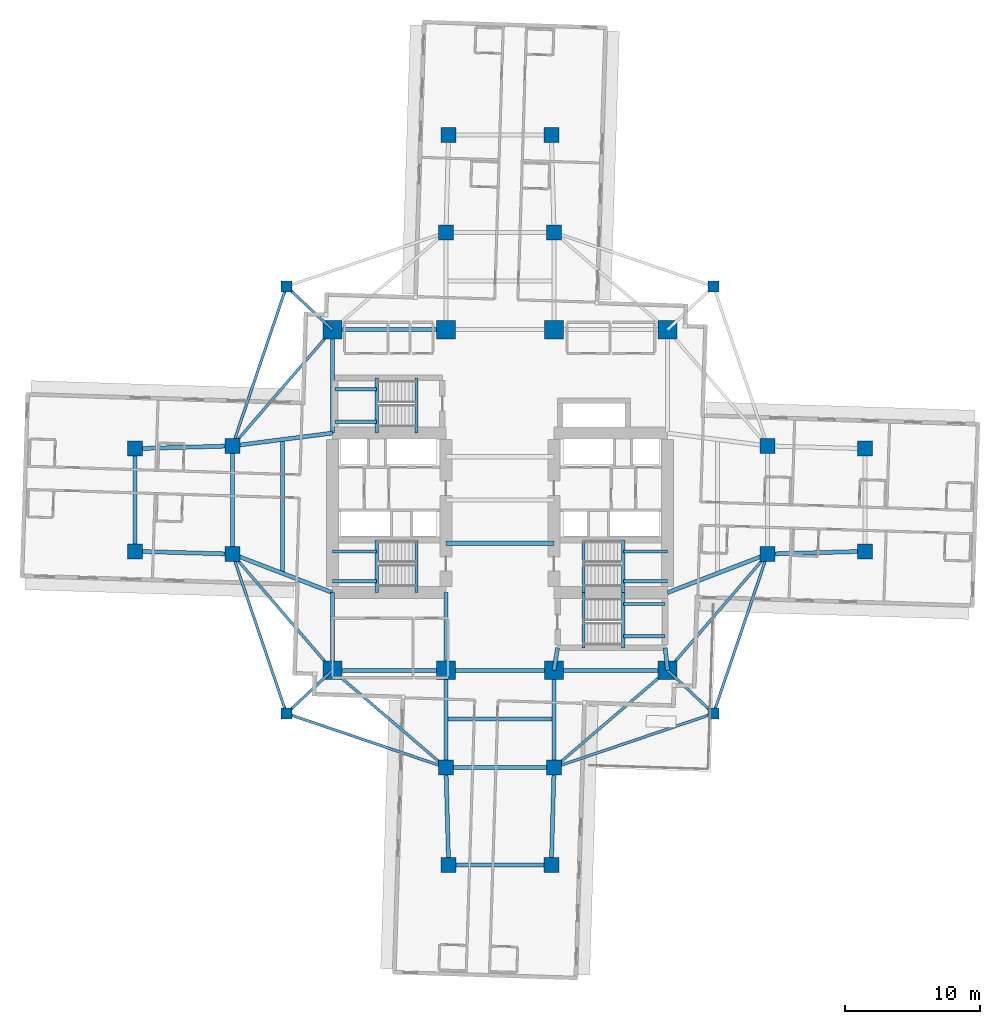
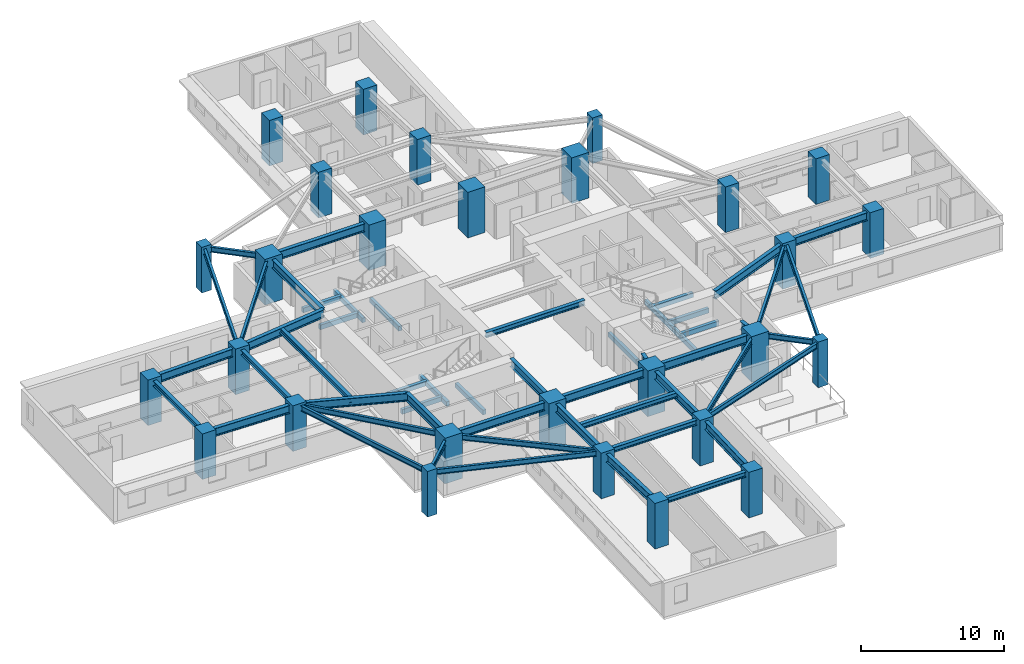
# One storey, part 1 of 13: 55 beams, 28 columns.
"""IFC4 building model written with IfcOpenShell, lengths in metres."""

from ifc_helpers import new_model, si_unit, direction, frame, origin, origin_2d, place, context, subcontext, project, spatial, rectangle, i_section, extrude, material, material_profile, profile_set, type_object, element, save


model = new_model("IFC4")

# Units and contexts
model_context = context("Model", 3, precision=1e-05, world=origin(), true_north=direction((0.0, 1.0)))
body_context = subcontext(model_context, "Body", "Model", "MODEL_VIEW")
ifc_project = project(units=[si_unit("LENGTHUNIT", "METRE"), si_unit("AREAUNIT", "SQUARE_METRE"), si_unit("VOLUMEUNIT", "CUBIC_METRE"), si_unit("PLANEANGLEUNIT", "RADIAN"), si_unit("MASSUNIT", "GRAM", prefix="KILO")], contexts=[model_context])

# Site, building, storey
site_placement = place(None, origin())
site = spatial("IfcSite", under=ifc_project, at=site_placement, CompositionType="ELEMENT")
building_placement = place(site_placement, origin())
building = spatial("IfcBuilding", under=site, at=building_placement, Name="Qingluan Cross Belvedere", CompositionType="ELEMENT")
storey_placement = place(building_placement, frame((0.0, 0.0, 71.699951171875)))
storey = spatial("IfcBuildingStorey", under=building, at=storey_placement, Name="L18", CompositionType="ELEMENT", Elevation=71.699951171875)

# Columns
ifc_material_1 = material(Name="Concrete C60", Category="concrete")
ifc_material_profile_1 = material_profile(ifc_material_1, rectangle(XDim=1.10009765625, YDim=1.10009765625, at=origin_2d()), Name="RC1100x1100")
ifc_profile_set_1 = profile_set([ifc_material_profile_1], Name="Concrete C60")
column_type_1 = type_object("IfcColumnType", Name="Column_RC1100x1100", PredefinedType="COLUMN", material=ifc_profile_set_1)
for number, where, z_axis, x_axis, name in (
    (1, (19.800048828125, -4.0, 0.0), (0.0, 0.0, 1.0), (1.0, 0.0, 0.0), "Arm column L18-EIA"),
    (2, (19.800048828125, 4.0, 0.0), (0.0, 0.0, 1.0), (1.0, 0.0, 0.0), "Arm column L18-EIB"),
    (3, (-19.800048828125, -4.0, 0.0), (0.0, 0.0, 1.0), (1.0, 0.0, 0.0), "Arm column L18-WIA"),
    (4, (-19.800048828125, 4.0, 0.0), (0.0, 0.0, 1.0), (1.0, 0.0, 0.0), "Arm column L18-WIB"),
    (5, (-4.0, -19.800048828125, 0.0), (0.0, 0.0, 1.0), (1.0, 0.0, 0.0), "Arm column L18-SIA"),
    (6, (4.0, -19.800048828125, 0.0), (0.0, 0.0, 1.0), (1.0, 0.0, 0.0), "Arm column L18-SIB"),
    (7, (-4.0, 19.800048828125, 0.0), (0.0, 0.0, 1.0), (1.0, 0.0, 0.0), "Arm column L18-NIA"),
    (8, (4.0, 19.800048828125, 0.0), (0.0, 0.0, 1.0), (1.0, 0.0, 0.0), "Arm column L18-NIB"),
    (9, (27.0, -3.800048828125, 0.0), (0.0, 0.0, 1.0), (1.0, 0.0, 0.0), "Arm column L18-EOA"),
    (10, (27.0, 3.800048828125, 0.0), (0.0, 0.0, 1.0), (1.0, 0.0, 0.0), "Arm column L18-EOB"),
    (11, (-27.0, -3.800048828125, 0.0), (0.0, 0.0, 1.0), (1.0, 0.0, 0.0), "Arm column L18-WOA"),
    (12, (-27.0, 3.800048828125, 0.0), (0.0, 0.0, 1.0), (1.0, 0.0, 0.0), "Arm column L18-WOB"),
    (13, (-3.800048828125, -27.0, 0.0), (0.0, 0.0, 1.0), (1.0, 0.0, 0.0), "Arm column L18-SOA"),
    (14, (3.800048828125, -27.0, 0.0), (0.0, 0.0, 1.0), (1.0, 0.0, 0.0), "Arm column L18-SOB"),
    (15, (-3.800048828125, 27.0, 0.0), (0.0, 0.0, 1.0), (1.0, 0.0, 0.0), "Arm column L18-NOA"),
    (16, (3.800048828125, 27.0, 0.0), (0.0, 0.0, 1.0), (1.0, 0.0, 0.0), "Arm column L18-NOB"),
):
    element("IfcColumn", number, at=place(storey_placement, frame(where, z_axis=z_axis, x_axis=x_axis)), inside=storey, type_object=column_type_1, Name=name, PredefinedType="COLUMN", context=body_context, shape_type="SweptSolid", body=[
        extrude(rectangle(XDim=1.10009765625, YDim=1.10009765625, at=origin_2d()), origin(), (0.0, 0.0, 1.0), 3.900146484375),
    ])
ifc_material_2 = material(Name="Concrete C70", Category="concrete")
ifc_material_profile_2 = material_profile(ifc_material_2, rectangle(XDim=1.39990234375, YDim=1.39990234375, at=origin_2d()), Name="RC1400x1400")
ifc_profile_set_2 = profile_set([ifc_material_profile_2], Name="Concrete C70")
column_type_2 = type_object("IfcColumnType", Name="Column_RC1400x1400", PredefinedType="COLUMN", material=ifc_profile_set_2)
for number, where, z_axis, x_axis, name in (
    (17, (-12.39990234375, -12.60009765625, 0.0), (0.0, 0.0, 1.0), (1.0, 0.0, 0.0), "Hub column L18-HC1"),
    (18, (12.39990234375, -12.60009765625, 0.0), (0.0, 0.0, 1.0), (1.0, 0.0, 0.0), "Hub column L18-HC2"),
    (19, (12.39990234375, 12.60009765625, 0.0), (0.0, 0.0, 1.0), (1.0, 0.0, 0.0), "Hub column L18-HC3"),
    (20, (-12.39990234375, 12.60009765625, 0.0), (0.0, 0.0, 1.0), (1.0, 0.0, 0.0), "Hub column L18-HC4"),
    (21, (-4.0, -12.60009765625, 0.0), (0.0, 0.0, 1.0), (1.0, 0.0, 0.0), "Hub column L18-HC5"),
    (22, (4.0, -12.60009765625, 0.0), (0.0, 0.0, 1.0), (1.0, 0.0, 0.0), "Hub column L18-HC6"),
    (23, (4.0, 12.60009765625, 0.0), (0.0, 0.0, 1.0), (1.0, 0.0, 0.0), "Hub column L18-HC7"),
    (24, (-4.0, 12.60009765625, 0.0), (0.0, 0.0, 1.0), (1.0, 0.0, 0.0), "Hub column L18-HC8"),
):
    element("IfcColumn", number, at=place(storey_placement, frame(where, z_axis=z_axis, x_axis=x_axis)), inside=storey, type_object=column_type_2, Name=name, PredefinedType="COLUMN", context=body_context, shape_type="SweptSolid", body=[
        extrude(rectangle(XDim=1.39990234375, YDim=1.39990234375, at=origin_2d()), origin(), (0.0, 0.0, 1.0), 3.900146484375),
    ])
ifc_material_3 = material(Name="Concrete C50", Category="concrete")
ifc_material_profile_3 = material_profile(ifc_material_3, rectangle(XDim=0.800048828125, YDim=0.800048828125, at=origin_2d()), Name="RC800x800")
ifc_profile_set_3 = profile_set([ifc_material_profile_3], Name="Concrete C50")
column_type_3 = type_object("IfcColumnType", Name="Column_RC800x800", PredefinedType="COLUMN", material=ifc_profile_set_3)
for number, where, z_axis, x_axis, name in (
    (25, (15.800048828125, 15.800048828125, 0.0), (0.0, 0.0, 1.0), (1.0, 0.0, 0.0), "Corner column L18-RNE"),
    (26, (-15.800048828125, 15.800048828125, 0.0), (0.0, 0.0, 1.0), (1.0, 0.0, 0.0), "Corner column L18-RNW"),
    (27, (-15.800048828125, -15.800048828125, 0.0), (0.0, 0.0, 1.0), (1.0, 0.0, 0.0), "Corner column L18-RSW"),
    (28, (15.800048828125, -15.800048828125, 0.0), (0.0, 0.0, 1.0), (1.0, 0.0, 0.0), "Corner column L18-RSE"),
):
    element("IfcColumn", number, at=place(storey_placement, frame(where, z_axis=z_axis, x_axis=x_axis)), inside=storey, type_object=column_type_3, Name=name, PredefinedType="COLUMN", context=body_context, shape_type="SweptSolid", body=[
        extrude(rectangle(XDim=0.800048828125, YDim=0.800048828125, at=origin_2d()), origin(), (0.0, 0.0, 1.0), 3.900146484375),
    ])

# Beams
ifc_material_4 = material(Name="Concrete C45", Category="concrete")
ifc_material_profile_4 = material_profile(ifc_material_4, rectangle(XDim=0.25, YDim=0.39990234375, at=origin_2d()), Name="RC250x400")
ifc_profile_set_4 = profile_set([ifc_material_profile_4], Name="Concrete C45")
beam_type_1 = type_object("IfcBeamType", Name="RC_Lintel_RC250x400", PredefinedType="LINTEL", material=ifc_profile_set_4)
for number, where, z_axis, x_axis, name in (
    (29, (-6.179931640625, -6.85009765625, -0.199951171875), (0.0, 1.0, 0.0), (-1.0, 0.0, 0.0), "Stair ST1 landing beam L18"),
    (30, (6.179931640625, -6.85009765625, -0.199951171875), (0.0, 1.0, 0.0), (-1.0, 0.0, 0.0), "Stair ST2 landing beam L18"),
):
    element("IfcBeam", number, at=place(storey_placement, frame(where, z_axis=z_axis, x_axis=x_axis)), inside=storey, type_object=beam_type_1, Name=name, PredefinedType="LINTEL", context=body_context, shape_type="SweptSolid", body=[
        extrude(rectangle(XDim=0.25, YDim=0.39990234375, at=origin_2d()), origin(), (0.0, 0.0, 1.0), 3.89013671875),
    ])
beam_1_placement = place(storey_placement, frame((-6.179931640625, 4.949951171875, -0.199951171875), z_axis=(0.0, 1.0, 0.0), x_axis=(-1.0, 0.0, 0.0)))
element("IfcBeam", 31, at=beam_1_placement, inside=storey, type_object=beam_type_1, Name="Stair ST3 landing beam L18", PredefinedType="LINTEL", context=body_context, shape_type="SweptSolid", body=[
    extrude(rectangle(XDim=0.25, YDim=0.39990234375, at=origin_2d()), origin(), (0.0, 0.0, 1.0), 4.090087890625),
])
beam_2_placement = place(storey_placement, frame((6.179931640625, -10.93994140625, -0.199951171875), z_axis=(0.0, 1.0, 0.0), x_axis=(-1.0, 0.0, 0.0)))
element("IfcBeam", 32, at=beam_2_placement, inside=storey, type_object=beam_type_1, Name="Stair ST4 landing beam L18", PredefinedType="LINTEL", context=body_context, shape_type="SweptSolid", body=[
    extrude(rectangle(XDim=0.25, YDim=0.39990234375, at=origin_2d()), origin(), (0.0, 0.0, 1.0), 4.08984375),
])
beam_3_placement = place(storey_placement, frame((-9.1298828125, -6.85009765625, 1.550048828125), z_axis=(0.0, 1.0, 0.0), x_axis=(-1.0, 0.0, 0.0)))
element("IfcBeam", 33, at=beam_3_placement, inside=storey, type_object=beam_type_1, Name="Stair ST1 beam A L18", PredefinedType="LINTEL", context=body_context, shape_type="SweptSolid", body=[
    extrude(rectangle(XDim=0.25, YDim=0.39990234375, at=origin_2d()), origin(), (0.0, 0.0, 1.0), 3.89013671875),
])
for number, where, z_axis, x_axis, name in (
    (34, (-12.39990234375, -6.0, 1.550048828125), (1.0, 0.0, 0.0), (0.0, 1.0, 0.0), "Stair ST1 beam B L18"),
    (35, (-12.39990234375, -3.81005859375, 1.550048828125), (1.0, 0.0, 0.0), (0.0, 1.0, 0.0), "Stair ST1 beam C L18"),
):
    element("IfcBeam", number, at=place(storey_placement, frame(where, z_axis=z_axis, x_axis=x_axis)), inside=storey, type_object=beam_type_1, Name=name, PredefinedType="LINTEL", context=body_context, shape_type="SweptSolid", body=[
        extrude(rectangle(XDim=0.25, YDim=0.39990234375, at=origin_2d()), origin(), (0.0, 0.0, 1.0), 3.27001953125),
    ])
beam_4_placement = place(storey_placement, frame((9.1298828125, -6.85009765625, 1.550048828125), z_axis=(0.0, 1.0, 0.0), x_axis=(-1.0, 0.0, 0.0)))
element("IfcBeam", 36, at=beam_4_placement, inside=storey, type_object=beam_type_1, Name="Stair ST2 beam A L18", PredefinedType="LINTEL", context=body_context, shape_type="SweptSolid", body=[
    extrude(rectangle(XDim=0.25, YDim=0.39990234375, at=origin_2d()), origin(), (0.0, 0.0, 1.0), 3.89013671875),
])
for number, where, z_axis, x_axis, name in (
    (37, (12.39990234375, -6.0, 1.550048828125), (-1.0, 0.0, 0.0), (0.0, -1.0, 0.0), "Stair ST2 beam B L18"),
    (38, (12.39990234375, -3.81005859375, 1.550048828125), (-1.0, 0.0, 0.0), (0.0, -1.0, 0.0), "Stair ST2 beam C L18"),
):
    element("IfcBeam", number, at=place(storey_placement, frame(where, z_axis=z_axis, x_axis=x_axis)), inside=storey, type_object=beam_type_1, Name=name, PredefinedType="LINTEL", context=body_context, shape_type="SweptSolid", body=[
        extrude(rectangle(XDim=0.25, YDim=0.39990234375, at=origin_2d()), origin(), (0.0, 0.0, 1.0), 3.27001953125),
    ])
beam_5_placement = place(storey_placement, frame((-9.1298828125, 4.949951171875, 1.550048828125), z_axis=(0.0, 1.0, 0.0), x_axis=(-1.0, 0.0, 0.0)))
element("IfcBeam", 39, at=beam_5_placement, inside=storey, type_object=beam_type_1, Name="Stair ST3 beam A L18", PredefinedType="LINTEL", context=body_context, shape_type="SweptSolid", body=[
    extrude(rectangle(XDim=0.25, YDim=0.39990234375, at=origin_2d()), origin(), (0.0, 0.0, 1.0), 4.090087890625),
])
for number, where, z_axis, x_axis, name in (
    (40, (-12.219970703125, 5.800048828125, 1.550048828125), (1.0, 0.0, 0.0), (0.0, 1.0, 0.0), "Stair ST3 beam B L18"),
    (41, (-12.219970703125, 8.18994140625, 1.550048828125), (1.0, 0.0, 0.0), (0.0, 1.0, 0.0), "Stair ST3 beam C L18"),
):
    element("IfcBeam", number, at=place(storey_placement, frame(where, z_axis=z_axis, x_axis=x_axis)), inside=storey, type_object=beam_type_1, Name=name, PredefinedType="LINTEL", context=body_context, shape_type="SweptSolid", body=[
        extrude(rectangle(XDim=0.25, YDim=0.39990234375, at=origin_2d()), origin(), (0.0, 0.0, 1.0), 3.090087890625),
    ])
beam_6_placement = place(storey_placement, frame((9.1298828125, -10.93994140625, 1.550048828125), z_axis=(0.0, 1.0, 0.0), x_axis=(-1.0, 0.0, 0.0)))
element("IfcBeam", 42, at=beam_6_placement, inside=storey, type_object=beam_type_1, Name="Stair ST4 beam A L18", PredefinedType="LINTEL", context=body_context, shape_type="SweptSolid", body=[
    extrude(rectangle(XDim=0.25, YDim=0.39990234375, at=origin_2d()), origin(), (0.0, 0.0, 1.0), 4.08984375),
])
for number, where, z_axis, x_axis, name in (
    (43, (12.219970703125, -10.090087890625, 1.550048828125), (-1.0, 0.0, 0.0), (0.0, -1.0, 0.0), "Stair ST4 beam B L18"),
    (44, (12.219970703125, -7.699951171875, 1.550048828125), (-1.0, 0.0, 0.0), (0.0, -1.0, 0.0), "Stair ST4 beam C L18"),
):
    element("IfcBeam", number, at=place(storey_placement, frame(where, z_axis=z_axis, x_axis=x_axis)), inside=storey, type_object=beam_type_1, Name=name, PredefinedType="LINTEL", context=body_context, shape_type="SweptSolid", body=[
        extrude(rectangle(XDim=0.25, YDim=0.39990234375, at=origin_2d()), origin(), (0.0, 0.0, 1.0), 3.090087890625),
    ])
ifc_material_5 = material(Name="Steel Q420GJB", Category="steel")
ifc_material_profile_5 = material_profile(ifc_material_5, i_section(OverallWidth=0.300048828125, OverallDepth=0.43994140625, WebThickness=0.010986328125, FlangeThickness=0.01806640625, FilletRadius=0.02001953125, at=origin_2d()), Name="HM440x300x11x18")
ifc_profile_set_5 = profile_set([ifc_material_profile_5], Name="Steel Q420GJB")
beam_type_2 = type_object("IfcBeamType", Name="Steel_Beam_HM440x300x11x18", PredefinedType="BEAM", material=ifc_profile_set_5)
for number, where, z_axis, x_axis, name in (
    (45, (-4.0, -3.199951171875, 3.47998046875), (1.0, 0.0, 0.0), (0.0, 1.0, 0.0), "Hall beam L18-CH1"),
    (46, (-19.800048828125, -4.0, 3.47998046875), (0.0, 1.0, 0.0), (-1.0, 0.0, 0.0), "Arm W tie L18"),
):
    element("IfcBeam", number, at=place(storey_placement, frame(where, z_axis=z_axis, x_axis=x_axis)), inside=storey, type_object=beam_type_2, Name=name, PredefinedType="BEAM", context=body_context, shape_type="SweptSolid", body=[
        extrude(i_section(OverallWidth=0.300048828125, OverallDepth=0.43994140625, WebThickness=0.010986328125, FlangeThickness=0.01806640625, FilletRadius=0.02001953125, at=origin_2d()), origin(), (0.0, 0.0, 1.0), 8.0),
    ])
beam_7_placement = place(storey_placement, frame((-16.10009765625, -5.425048828125, 3.47998046875), z_axis=(0.0, 1.0, 0.0), x_axis=(-1.0, 0.0, 0.0)))
element("IfcBeam", 47, at=beam_7_placement, inside=storey, type_object=beam_type_2, Name="Arm W beam L18", PredefinedType="BEAM", context=body_context, shape_type="SweptSolid", body=[
    extrude(i_section(OverallWidth=0.300048828125, OverallDepth=0.43994140625, WebThickness=0.010986328125, FlangeThickness=0.01806640625, FilletRadius=0.02001953125, at=origin_2d()), origin(), (0.0, 0.0, 1.0), 9.900146484375),
])
beam_8_placement = place(storey_placement, frame((-27.0, -3.800048828125, 3.47998046875), z_axis=(0.0, 1.0, 0.0), x_axis=(-1.0, 0.0, 0.0)))
element("IfcBeam", 48, at=beam_8_placement, inside=storey, type_object=beam_type_2, Name="Arm W tip transverse beam L18", PredefinedType="BEAM", context=body_context, shape_type="SweptSolid", body=[
    extrude(i_section(OverallWidth=0.300048828125, OverallDepth=0.43994140625, WebThickness=0.010986328125, FlangeThickness=0.01806640625, FilletRadius=0.02001953125, at=origin_2d()), origin(), (0.0, 0.0, 1.0), 7.60009765625),
])
for number, where, z_axis, x_axis, name in (
    (49, (-4.0, -19.800048828125, 3.47998046875), (1.0, 0.0, 0.0), (0.0, 1.0, 0.0), "Arm S tie L18"),
    (50, (-4.0, -16.199951171875, 3.47998046875), (1.0, 0.0, 0.0), (0.0, 1.0, 0.0), "Arm S beam L18"),
):
    element("IfcBeam", number, at=place(storey_placement, frame(where, z_axis=z_axis, x_axis=x_axis)), inside=storey, type_object=beam_type_2, Name=name, PredefinedType="BEAM", context=body_context, shape_type="SweptSolid", body=[
        extrude(i_section(OverallWidth=0.300048828125, OverallDepth=0.43994140625, WebThickness=0.010986328125, FlangeThickness=0.01806640625, FilletRadius=0.02001953125, at=origin_2d()), origin(), (0.0, 0.0, 1.0), 8.0),
    ])
beam_9_placement = place(storey_placement, frame((-3.800048828125, -27.0, 3.47998046875), z_axis=(1.0, 0.0, 0.0), x_axis=(0.0, 1.0, 0.0)))
element("IfcBeam", 51, at=beam_9_placement, inside=storey, type_object=beam_type_2, Name="Arm S tip transverse beam L18", PredefinedType="BEAM", context=body_context, shape_type="SweptSolid", body=[
    extrude(i_section(OverallWidth=0.300048828125, OverallDepth=0.43994140625, WebThickness=0.010986328125, FlangeThickness=0.01806640625, FilletRadius=0.02001953125, at=origin_2d()), origin(), (0.0, 0.0, 1.0), 7.60009765625),
])
ifc_material_6 = material(Name="Steel Q420GJB", Category="steel")
ifc_material_profile_6 = material_profile(ifc_material_6, i_section(OverallWidth=0.199951171875, OverallDepth=0.449951171875, WebThickness=0.009033203125, FlangeThickness=0.013916015625, FilletRadius=0.01611328125, at=origin_2d()), Name="HN450x200x9x14")
ifc_profile_set_6 = profile_set([ifc_material_profile_6], Name="Steel Q420GJB")
beam_type_3 = type_object("IfcBeamType", Name="Steel_Beam_HN450x200x9x14", PredefinedType="JOIST", material=ifc_profile_set_6)
beam_10_placement = place(storey_placement, frame((-12.39990234375, 12.60009765625, 3.47509765625), z_axis=(-0.728219948308, 0.685343495546, 0.0), x_axis=(-0.685343495546, -0.728219948308, 0.0)))
element("IfcBeam", 52, at=beam_10_placement, inside=storey, type_object=beam_type_3, Name="Corner beam 1 L18-RNW", PredefinedType="JOIST", context=body_context, shape_type="SweptSolid", body=[
    extrude(i_section(OverallWidth=0.199951171875, OverallDepth=0.449951171875, WebThickness=0.009033203125, FlangeThickness=0.013916015625, FilletRadius=0.01611328125, at=origin_2d()), origin(), (0.0, 0.0, 1.0), 4.669189453125),
])
beam_11_placement = place(storey_placement, frame((-15.800048828125, 15.800048828125, 3.47509765625), z_axis=(-0.321038089628, -0.947066283324, 0.0), x_axis=(0.947066283324, -0.321038089628, 0.0)))
element("IfcBeam", 53, at=beam_11_placement, inside=storey, type_object=beam_type_3, Name="Corner beam 3 L18-RNW", PredefinedType="JOIST", context=body_context, shape_type="SweptSolid", body=[
    extrude(i_section(OverallWidth=0.199951171875, OverallDepth=0.449951171875, WebThickness=0.009033203125, FlangeThickness=0.013916015625, FilletRadius=0.01611328125, at=origin_2d()), origin(), (0.0, 0.0, 1.0), 12.45947265625),
])
beam_12_placement = place(storey_placement, frame((-12.39990234375, 12.60009765625, 3.47509765625), z_axis=(-0.652245077546, -0.75800815221, 0.0), x_axis=(0.75800815221, -0.652245077546, 0.0)))
element("IfcBeam", 54, at=beam_12_placement, inside=storey, type_object=beam_type_3, Name="Corner beam 4 L18-RNW", PredefinedType="JOIST", context=body_context, shape_type="SweptSolid", body=[
    extrude(i_section(OverallWidth=0.199951171875, OverallDepth=0.449951171875, WebThickness=0.009033203125, FlangeThickness=0.013916015625, FilletRadius=0.01611328125, at=origin_2d()), origin(), (0.0, 0.0, 1.0), 11.345703125),
])
beam_13_placement = place(storey_placement, frame((-12.39990234375, -12.60009765625, 3.47509765625), z_axis=(-0.728219948308, -0.685343495546, 0.0), x_axis=(0.685343495546, -0.728219948308, 0.0)))
element("IfcBeam", 55, at=beam_13_placement, inside=storey, type_object=beam_type_3, Name="Corner beam 1 L18-RSW", PredefinedType="JOIST", context=body_context, shape_type="SweptSolid", body=[
    extrude(i_section(OverallWidth=0.199951171875, OverallDepth=0.449951171875, WebThickness=0.009033203125, FlangeThickness=0.013916015625, FilletRadius=0.01611328125, at=origin_2d()), origin(), (0.0, 0.0, 1.0), 4.669189453125),
])
for number, where, z_axis, x_axis, name in (
    (56, (-15.800048828125, -15.800048828125, 3.47509765625), (0.947066283324, -0.321038089628, 0.0), (0.321038089628, 0.947066283324, 0.0), "Corner beam 2 L18-RSW"),
    (57, (-15.800048828125, -15.800048828125, 3.47509765625), (-0.321038089628, 0.947066283324, 0.0), (-0.947066283324, -0.321038089628, 0.0), "Corner beam 3 L18-RSW"),
):
    element("IfcBeam", number, at=place(storey_placement, frame(where, z_axis=z_axis, x_axis=x_axis)), inside=storey, type_object=beam_type_3, Name=name, PredefinedType="JOIST", context=body_context, shape_type="SweptSolid", body=[
        extrude(i_section(OverallWidth=0.199951171875, OverallDepth=0.449951171875, WebThickness=0.009033203125, FlangeThickness=0.013916015625, FilletRadius=0.01611328125, at=origin_2d()), origin(), (0.0, 0.0, 1.0), 12.45947265625),
    ])
beam_14_placement = place(storey_placement, frame((-12.39990234375, -12.60009765625, 3.47509765625), z_axis=(-0.652245077546, 0.75800815221, 0.0), x_axis=(-0.75800815221, -0.652245077546, 0.0)))
element("IfcBeam", 58, at=beam_14_placement, inside=storey, type_object=beam_type_3, Name="Corner beam 4 L18-RSW", PredefinedType="JOIST", context=body_context, shape_type="SweptSolid", body=[
    extrude(i_section(OverallWidth=0.199951171875, OverallDepth=0.449951171875, WebThickness=0.009033203125, FlangeThickness=0.013916015625, FilletRadius=0.01611328125, at=origin_2d()), origin(), (0.0, 0.0, 1.0), 11.345703125),
])
beam_15_placement = place(storey_placement, frame((-12.39990234375, -12.60009765625, 3.47509765625), z_axis=(0.759255044656, -0.650793190779, 0.0), x_axis=(0.650793190779, 0.759255044656, 0.0)))
element("IfcBeam", 59, at=beam_15_placement, inside=storey, type_object=beam_type_3, Name="Corner beam 5 L18-RSW", PredefinedType="JOIST", context=body_context, shape_type="SweptSolid", body=[
    extrude(i_section(OverallWidth=0.199951171875, OverallDepth=0.449951171875, WebThickness=0.009033203125, FlangeThickness=0.013916015625, FilletRadius=0.01611328125, at=origin_2d()), origin(), (0.0, 0.0, 1.0), 11.063232421875),
])
beam_16_placement = place(storey_placement, frame((12.39990234375, -12.60009765625, 3.47509765625), z_axis=(0.728219948308, -0.685343495546, 0.0), x_axis=(0.685343495546, 0.728219948308, 0.0)))
element("IfcBeam", 60, at=beam_16_placement, inside=storey, type_object=beam_type_3, Name="Corner beam 1 L18-RSE", PredefinedType="JOIST", context=body_context, shape_type="SweptSolid", body=[
    extrude(i_section(OverallWidth=0.199951171875, OverallDepth=0.449951171875, WebThickness=0.009033203125, FlangeThickness=0.013916015625, FilletRadius=0.01611328125, at=origin_2d()), origin(), (0.0, 0.0, 1.0), 4.669189453125),
])
for number, where, z_axis, x_axis, name in (
    (61, (15.800048828125, -15.800048828125, 3.47509765625), (-0.947066283324, -0.321038089628, 0.0), (0.321038089628, -0.947066283324, 0.0), "Corner beam 2 L18-RSE"),
    (62, (15.800048828125, -15.800048828125, 3.47509765625), (0.321038089628, 0.947066283324, 0.0), (-0.947066283324, 0.321038089628, 0.0), "Corner beam 3 L18-RSE"),
):
    element("IfcBeam", number, at=place(storey_placement, frame(where, z_axis=z_axis, x_axis=x_axis)), inside=storey, type_object=beam_type_3, Name=name, PredefinedType="JOIST", context=body_context, shape_type="SweptSolid", body=[
        extrude(i_section(OverallWidth=0.199951171875, OverallDepth=0.449951171875, WebThickness=0.009033203125, FlangeThickness=0.013916015625, FilletRadius=0.01611328125, at=origin_2d()), origin(), (0.0, 0.0, 1.0), 12.45947265625),
    ])
beam_17_placement = place(storey_placement, frame((12.39990234375, -12.60009765625, 3.47509765625), z_axis=(0.652245077546, 0.75800815221, 0.0), x_axis=(-0.75800815221, 0.652245077546, 0.0)))
element("IfcBeam", 63, at=beam_17_placement, inside=storey, type_object=beam_type_3, Name="Corner beam 4 L18-RSE", PredefinedType="JOIST", context=body_context, shape_type="SweptSolid", body=[
    extrude(i_section(OverallWidth=0.199951171875, OverallDepth=0.449951171875, WebThickness=0.009033203125, FlangeThickness=0.013916015625, FilletRadius=0.01611328125, at=origin_2d()), origin(), (0.0, 0.0, 1.0), 11.345703125),
])
beam_18_placement = place(storey_placement, frame((12.39990234375, -12.60009765625, 3.47509765625), z_axis=(-0.759255044656, -0.650793190779, 0.0), x_axis=(0.650793190779, -0.759255044656, 0.0)))
element("IfcBeam", 64, at=beam_18_placement, inside=storey, type_object=beam_type_3, Name="Corner beam 5 L18-RSE", PredefinedType="JOIST", context=body_context, shape_type="SweptSolid", body=[
    extrude(i_section(OverallWidth=0.199951171875, OverallDepth=0.449951171875, WebThickness=0.009033203125, FlangeThickness=0.013916015625, FilletRadius=0.01611328125, at=origin_2d()), origin(), (0.0, 0.0, 1.0), 11.063232421875),
])
ifc_material_7 = material(Name="Steel Q420GJB", Category="steel")
ifc_material_profile_7 = material_profile(ifc_material_7, i_section(OverallWidth=0.300048828125, OverallDepth=0.699951171875, WebThickness=0.014892578125, FlangeThickness=0.027099609375, FilletRadius=0.027099609375, at=origin_2d()), Name="HEB700")
ifc_profile_set_7 = profile_set([ifc_material_profile_7], Name="Steel Q420GJB")
beam_type_4 = type_object("IfcBeamType", Name="Steel_Girder_HEB700", PredefinedType="USERDEFINED", material=ifc_profile_set_7)
beam_19_placement = place(storey_placement, frame((-12.39990234375, -12.60009765625, 3.35009765625), z_axis=(1.0, 0.0, 0.0), x_axis=(0.0, 1.0, 0.0)))
element("IfcBeam", 65, at=beam_19_placement, inside=storey, type_object=beam_type_4, Name="Hub girder L18-HG-S1", ObjectType="GIRDER", PredefinedType="USERDEFINED", context=body_context, shape_type="SweptSolid", body=[
    extrude(i_section(OverallWidth=0.300048828125, OverallDepth=0.699951171875, WebThickness=0.014892578125, FlangeThickness=0.027099609375, FilletRadius=0.027099609375, at=origin_2d()), origin(), (0.0, 0.0, 1.0), 8.39990234375),
])
beam_20_placement = place(storey_placement, frame((-4.0, -12.60009765625, 3.35009765625), z_axis=(1.0, 0.0, 0.0), x_axis=(0.0, 1.0, 0.0)))
element("IfcBeam", 66, at=beam_20_placement, inside=storey, type_object=beam_type_4, Name="Hub girder L18-HG-S2", ObjectType="GIRDER", PredefinedType="USERDEFINED", context=body_context, shape_type="SweptSolid", body=[
    extrude(i_section(OverallWidth=0.300048828125, OverallDepth=0.699951171875, WebThickness=0.014892578125, FlangeThickness=0.027099609375, FilletRadius=0.027099609375, at=origin_2d()), origin(), (0.0, 0.0, 1.0), 8.0),
])
for number, where, z_axis, x_axis, name in (
    (67, (4.0, -12.60009765625, 3.35009765625), (1.0, 0.0, 0.0), (0.0, 1.0, 0.0), "Hub girder L18-HG-S3"),
    (68, (-12.39990234375, 12.60009765625, 3.35009765625), (1.0, 0.0, 0.0), (0.0, 1.0, 0.0), "Hub girder L18-HG-N1"),
):
    element("IfcBeam", number, at=place(storey_placement, frame(where, z_axis=z_axis, x_axis=x_axis)), inside=storey, type_object=beam_type_4, Name=name, ObjectType="GIRDER", PredefinedType="USERDEFINED", context=body_context, shape_type="SweptSolid", body=[
        extrude(i_section(OverallWidth=0.300048828125, OverallDepth=0.699951171875, WebThickness=0.014892578125, FlangeThickness=0.027099609375, FilletRadius=0.027099609375, at=origin_2d()), origin(), (0.0, 0.0, 1.0), 8.39990234375),
    ])
beam_21_placement = place(storey_placement, frame((-12.39990234375, -12.60009765625, 3.35009765625), z_axis=(0.0, 1.0, 0.0), x_axis=(-1.0, 0.0, 0.0)))
element("IfcBeam", 69, at=beam_21_placement, inside=storey, type_object=beam_type_4, Name="Hub girder L18-HG-W1", ObjectType="GIRDER", PredefinedType="USERDEFINED", context=body_context, shape_type="SweptSolid", body=[
    extrude(i_section(OverallWidth=0.300048828125, OverallDepth=0.699951171875, WebThickness=0.014892578125, FlangeThickness=0.027099609375, FilletRadius=0.027099609375, at=origin_2d()), origin(), (0.0, 0.0, 1.0), 5.75),
])
beam_22_placement = place(storey_placement, frame((-12.39990234375, 4.949951171875, 3.35009765625), z_axis=(0.0, 1.0, 0.0), x_axis=(-1.0, 0.0, 0.0)))
element("IfcBeam", 70, at=beam_22_placement, inside=storey, type_object=beam_type_4, Name="Hub girder L18-HG-W2", ObjectType="GIRDER", PredefinedType="USERDEFINED", context=body_context, shape_type="SweptSolid", body=[
    extrude(i_section(OverallWidth=0.300048828125, OverallDepth=0.699951171875, WebThickness=0.014892578125, FlangeThickness=0.027099609375, FilletRadius=0.027099609375, at=origin_2d()), origin(), (0.0, 0.0, 1.0), 7.650146484375),
])
beam_23_placement = place(storey_placement, frame((12.39990234375, -12.60009765625, 3.35009765625), z_axis=(-0.107751337451, 0.994177876075, 0.0), x_axis=(-0.994177876075, -0.107751337451, 0.0)))
element("IfcBeam", 71, at=beam_23_placement, inside=storey, type_object=beam_type_4, Name="Hub girder L18-HG-E1", ObjectType="GIRDER", PredefinedType="USERDEFINED", context=body_context, shape_type="SweptSolid", body=[
    extrude(i_section(OverallWidth=0.300048828125, OverallDepth=0.699951171875, WebThickness=0.014892578125, FlangeThickness=0.027099609375, FilletRadius=0.027099609375, at=origin_2d()), origin(), (0.0, 0.0, 1.0), 1.669921875),
])
beam_24_placement = place(storey_placement, frame((-4.0, -12.60009765625, 3.35009765625), z_axis=(0.0, 1.0, 0.0), x_axis=(-1.0, 0.0, 0.0)))
element("IfcBeam", 72, at=beam_24_placement, inside=storey, type_object=beam_type_4, Name="Hub girder L18-HG-CW", ObjectType="GIRDER", PredefinedType="USERDEFINED", context=body_context, shape_type="SweptSolid", body=[
    extrude(i_section(OverallWidth=0.300048828125, OverallDepth=0.699951171875, WebThickness=0.014892578125, FlangeThickness=0.027099609375, FilletRadius=0.027099609375, at=origin_2d()), origin(), (0.0, 0.0, 1.0), 5.75),
])
beam_25_placement = place(storey_placement, frame((4.0, -12.60009765625, 3.35009765625), z_axis=(0.154731433337, 0.987956569662, 0.0), x_axis=(-0.987956569662, 0.154731433337, 0.0)))
element("IfcBeam", 73, at=beam_25_placement, inside=storey, type_object=beam_type_4, Name="Hub girder L18-HG-CE", ObjectType="GIRDER", PredefinedType="USERDEFINED", context=body_context, shape_type="SweptSolid", body=[
    extrude(i_section(OverallWidth=0.300048828125, OverallDepth=0.699951171875, WebThickness=0.014892578125, FlangeThickness=0.027099609375, FilletRadius=0.027099609375, at=origin_2d()), origin(), (0.0, 0.0, 1.0), 1.680419921875),
])
beam_26_placement = place(storey_placement, frame((12.39990234375, -6.85009765625, 3.35009765625), z_axis=(0.933181258889, 0.359406090735, 0.0), x_axis=(-0.359406090735, 0.933181258889, 0.0)))
element("IfcBeam", 74, at=beam_26_placement, inside=storey, type_object=beam_type_4, Name="Arm E radial girder A L18", ObjectType="GIRDER", PredefinedType="USERDEFINED", context=body_context, shape_type="SweptSolid", body=[
    extrude(i_section(OverallWidth=0.300048828125, OverallDepth=0.699951171875, WebThickness=0.014892578125, FlangeThickness=0.027099609375, FilletRadius=0.027099609375, at=origin_2d()), origin(), (0.0, 0.0, 1.0), 7.929931640625),
])
beam_27_placement = place(storey_placement, frame((19.800048828125, -4.0, 3.35009765625), z_axis=(0.999614603568, 0.027760481514, 0.0), x_axis=(-0.027760481514, 0.999614603568, 0.0)))
element("IfcBeam", 75, at=beam_27_placement, inside=storey, type_object=beam_type_4, Name="Arm E outer radial girder A L18", ObjectType="GIRDER", PredefinedType="USERDEFINED", context=body_context, shape_type="SweptSolid", body=[
    extrude(i_section(OverallWidth=0.300048828125, OverallDepth=0.699951171875, WebThickness=0.014892578125, FlangeThickness=0.027099609375, FilletRadius=0.027099609375, at=origin_2d()), origin(), (0.0, 0.0, 1.0), 7.20263671875),
])
beam_28_placement = place(storey_placement, frame((-12.39990234375, -6.85009765625, 3.35009765625), z_axis=(-0.933181258889, 0.359406090735, 0.0), x_axis=(-0.359406090735, -0.933181258889, 0.0)))
element("IfcBeam", 76, at=beam_28_placement, inside=storey, type_object=beam_type_4, Name="Arm W radial girder A L18", ObjectType="GIRDER", PredefinedType="USERDEFINED", context=body_context, shape_type="SweptSolid", body=[
    extrude(i_section(OverallWidth=0.300048828125, OverallDepth=0.699951171875, WebThickness=0.014892578125, FlangeThickness=0.027099609375, FilletRadius=0.027099609375, at=origin_2d()), origin(), (0.0, 0.0, 1.0), 7.929931640625),
])
beam_29_placement = place(storey_placement, frame((-12.39990234375, 4.949951171875, 3.35009765625), z_axis=(-0.991861120628, -0.12732445714, 0.0), x_axis=(0.12732445714, -0.991861120628, 0.0)))
element("IfcBeam", 77, at=beam_29_placement, inside=storey, type_object=beam_type_4, Name="Arm W radial girder B L18", ObjectType="GIRDER", PredefinedType="USERDEFINED", context=body_context, shape_type="SweptSolid", body=[
    extrude(i_section(OverallWidth=0.300048828125, OverallDepth=0.699951171875, WebThickness=0.014892578125, FlangeThickness=0.027099609375, FilletRadius=0.027099609375, at=origin_2d()), origin(), (0.0, 0.0, 1.0), 7.4609375),
])
for number, where, z_axis, x_axis, name in (
    (78, (-19.800048828125, -4.0, 3.35009765625), (-0.999614603568, 0.027760481514, 0.0), (-0.027760481514, -0.999614603568, 0.0), "Arm W outer radial girder A L18"),
    (79, (-19.800048828125, 4.0, 3.35009765625), (-0.999614603568, -0.027760481514, 0.0), (0.027760481514, -0.999614603568, 0.0), "Arm W outer radial girder B L18"),
):
    element("IfcBeam", number, at=place(storey_placement, frame(where, z_axis=z_axis, x_axis=x_axis)), inside=storey, type_object=beam_type_4, Name=name, ObjectType="GIRDER", PredefinedType="USERDEFINED", context=body_context, shape_type="SweptSolid", body=[
        extrude(i_section(OverallWidth=0.300048828125, OverallDepth=0.699951171875, WebThickness=0.014892578125, FlangeThickness=0.027099609375, FilletRadius=0.027099609375, at=origin_2d()), origin(), (0.0, 0.0, 1.0), 7.20263671875),
    ])
for number, where, z_axis, x_axis, name in (
    (80, (-4.0, -12.60009765625, 3.35009765625), (0.0, -1.0, 0.0), (1.0, 0.0, 0.0), "Arm S radial girder A L18"),
    (81, (4.0, -12.60009765625, 3.35009765625), (0.0, -1.0, 0.0), (1.0, 0.0, 0.0), "Arm S radial girder B L18"),
):
    element("IfcBeam", number, at=place(storey_placement, frame(where, z_axis=z_axis, x_axis=x_axis)), inside=storey, type_object=beam_type_4, Name=name, ObjectType="GIRDER", PredefinedType="USERDEFINED", context=body_context, shape_type="SweptSolid", body=[
        extrude(i_section(OverallWidth=0.300048828125, OverallDepth=0.699951171875, WebThickness=0.014892578125, FlangeThickness=0.027099609375, FilletRadius=0.027099609375, at=origin_2d()), origin(), (0.0, 0.0, 1.0), 7.199951171875),
    ])
for number, where, z_axis, x_axis, name in (
    (82, (-4.0, -19.800048828125, 3.35009765625), (0.027760481514, -0.999614603568, 0.0), (0.999614603568, 0.027760481514, 0.0), "Arm S outer radial girder A L18"),
    (83, (4.0, -19.800048828125, 3.35009765625), (-0.027760481514, -0.999614603568, 0.0), (0.999614603568, -0.027760481514, 0.0), "Arm S outer radial girder B L18"),
):
    element("IfcBeam", number, at=place(storey_placement, frame(where, z_axis=z_axis, x_axis=x_axis)), inside=storey, type_object=beam_type_4, Name=name, ObjectType="GIRDER", PredefinedType="USERDEFINED", context=body_context, shape_type="SweptSolid", body=[
        extrude(i_section(OverallWidth=0.300048828125, OverallDepth=0.699951171875, WebThickness=0.014892578125, FlangeThickness=0.027099609375, FilletRadius=0.027099609375, at=origin_2d()), origin(), (0.0, 0.0, 1.0), 7.20263671875),
    ])

save(model, "model.ifc")
